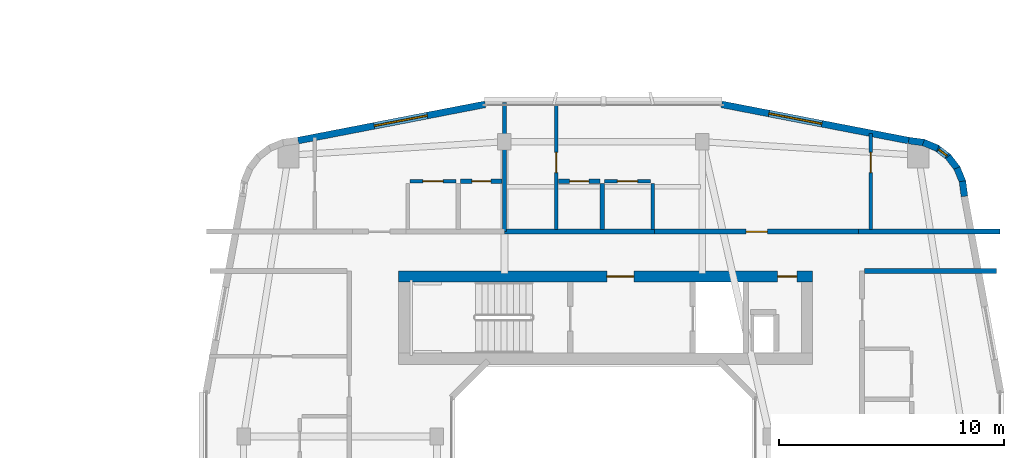
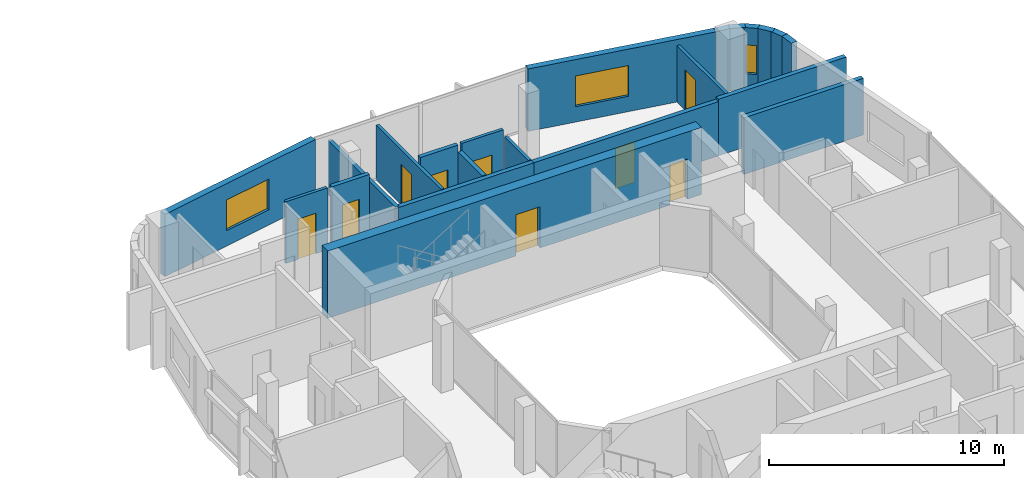
# One storey, part 19 of 25: 22 walls, 9 doors, 3 windows, 12 openings.
"""IFC4 building model written with IfcOpenShell, lengths in metres."""

from ifc_helpers import new_model, si_unit, derived_unit, direction, frame, frame_2d, origin, place, context, subcontext, project, spatial, rectangle, extrude, material, layer, layer_set, type_object, element, fill, save


model = new_model("IFC4")

# Units and contexts
model_context = context("Model", 3, precision=1e-05, world=origin(), true_north=direction((0.0, 1.0)))
body_context = subcontext(model_context, "Body", "Model", "MODEL_VIEW")
ifc_project = project(units=[si_unit("LENGTHUNIT", "METRE"), si_unit("AREAUNIT", "SQUARE_METRE"), si_unit("VOLUMEUNIT", "CUBIC_METRE"), si_unit("PLANEANGLEUNIT", "RADIAN"), si_unit("MASSUNIT", "GRAM", prefix="KILO"), derived_unit("THERMALTRANSMITTANCEUNIT", [(si_unit("POWERUNIT", "WATT"), 1), (si_unit("LENGTHUNIT", "METRE"), -2), (si_unit("THERMODYNAMICTEMPERATUREUNIT", "KELVIN"), -1)])], contexts=[model_context])

# Site, building, storey
site_placement = place(None, origin())
site = spatial("IfcSite", under=ifc_project, at=site_placement, CompositionType="ELEMENT")
building_placement = place(site_placement, origin())
building = spatial("IfcBuilding", under=site, at=building_placement, Name="Kivonza Crest Hotel", CompositionType="ELEMENT")
storey_placement = place(building_placement, frame((0.0, 0.0, 83.5)))
storey = spatial("IfcBuildingStorey", under=building, at=storey_placement, Name="L22", CompositionType="ELEMENT", Elevation=83.5)

# Walls
ifc_material_1 = material(Name="High-density acoustic masonry inter-tenancy wall", Category="masonry")
ifc_layer_1 = layer(ifc_material_1, 0.179931640625)
ifc_layer_set_1 = layer_set([ifc_layer_1], Name="High-density acoustic masonry inter-tenancy wall")
wall_type_1 = type_object("IfcWallType", Name="WL-ACOU-180", PredefinedType="SOLIDWALL", material=ifc_layer_set_1)
wall_1_placement = place(storey_placement, frame((72.60009765625, 37.60009765625, 0.0), z_axis=(0.0, 0.0, 1.0), x_axis=(0.0, 1.0, 0.0)))
element("IfcWall", 1, at=wall_1_placement, inside=storey, type_object=wall_type_1, Name="L22 interior partition WA-L22-T2N-DIV1", PredefinedType="SOLIDWALL", context=body_context, shape_type="SweptSolid", body=[
    extrude(rectangle(XDim=5.739990234375, YDim=0.179931640625, at=frame_2d((2.8701171875, 0.0))), origin(), (0.0, 0.0, 1.0), 2.824951171875),
])
ifc_material_2 = material(Name="Autoclaved aerated concrete blockwork", Category="masonry")
ifc_layer_2 = layer(ifc_material_2, 0.219970703125)
ifc_layer_set_2 = layer_set([ifc_layer_2], Name="Autoclaved aerated concrete blockwork")
wall_type_2 = type_object("IfcWallType", Name="WL-ACOU-220", PredefinedType="SOLIDWALL", material=ifc_layer_set_2)
wall_2_placement = place(storey_placement, frame((72.60009765625, 37.60009765625, 0.0), z_axis=(0.0, 0.0, 1.0), x_axis=(1.0, 0.0, 0.0)))
element("IfcWall", 2, at=wall_2_placement, inside=storey, type_object=wall_type_2, Name="L22 interior partition WA-L22-A02-LCORR", PredefinedType="SOLIDWALL", context=body_context, shape_type="SweptSolid", body=[
    extrude(rectangle(XDim=6.679931640625, YDim=0.219970703125, at=frame_2d((3.33984375, 0.0))), origin(), (0.0, 0.0, 1.0), 2.824951171875),
])
wall_3_placement = place(storey_placement, frame((88.35009765625, 37.60009765625, 0.0), z_axis=(0.0, 0.0, 1.0), x_axis=(1.0, 0.0, 0.0)))
element("IfcWall", 3, at=wall_3_placement, inside=storey, type_object=wall_type_2, Name="L22 interior partition WA-L22-A02-RCORR", PredefinedType="SOLIDWALL", context=body_context, shape_type="SweptSolid", body=[
    extrude(rectangle(XDim=6.289794921875, YDim=0.219970703125, at=frame_2d((3.14501953125, 0.0))), origin(), (0.0, 0.0, 1.0), 2.945068359375),
])

# Wall, opening, door
wall_4_placement = place(storey_placement, frame((79.280029296875, 37.60009765625, 0.0), z_axis=(0.0, 0.0, 1.0), x_axis=(1.0, 0.0, 0.0)))
wall_4 = element("IfcWall", 4, at=wall_4_placement, inside=storey, type_object=wall_type_2, Name="L22 interior partition WA-L22-A02-MCORR", PredefinedType="SOLIDWALL", context=body_context, shape_type="SweptSolid", body=[
    extrude(rectangle(XDim=9.070068359375, YDim=0.219970703125, at=frame_2d((4.53515625, 0.0))), origin(), (0.0, 0.0, 1.0), 2.824951171875),
])
opening_1_placement = place(wall_4_placement, frame((4.06005859375, 0.0, 0.0)))
opening_1 = element("IfcOpeningElement", 5, at=opening_1_placement, cuts=wall_4, Name="Opening DU-60", PredefinedType="OPENING", context=body_context, shape_type="SweptSolid", body=[
    extrude(rectangle(XDim=0.949951171875, YDim=2.10009765625, at=frame_2d((0.47509765625, 1.050048828125))), frame((0.0, 0.1201171875, 0.0), z_axis=(0.0, -1.0, 0.0), x_axis=(1.0, 0.0, 0.0)), (0.0, 0.0, 1.0), 0.239990234375),
])
ifc_material_3 = material(Name="Hardwood timber oak", Category="wood")
door_type_1 = type_object("IfcDoorType", Name="DR-UNIT-950", OperationType="NOTDEFINED", PredefinedType="DOOR", material=ifc_material_3)
door_1_placement = place(opening_1_placement, origin())
door_1 = element("IfcDoor", 6, at=door_1_placement, inside=storey, type_object=door_type_1, Name="L22 A02 apartment entrance fire door", OperationType="SINGLE_SWING_RIGHT", OverallHeight=2.10009765625, OverallWidth=0.949951171875, PredefinedType="DOOR", context=body_context, shape_type="SweptSolid", body=[
    extrude(rectangle(XDim=0.949951171875, YDim=2.10009765625, at=frame_2d((0.47509765625, 1.050048828125))), frame((0.0, 0.02490234375, 0.0), z_axis=(0.0, -1.0, 0.0), x_axis=(1.0, 0.0, 0.0)), (0.0, 0.0, 1.0), 0.050048828125),
])
fill(opening_1, door_1)

# Wall
wall_5_placement = place(storey_placement, frame((88.60009765625, 35.860107421875, 0.0), z_axis=(0.0, 0.0, 1.0), x_axis=(1.0, 0.0, 0.0)))
element("IfcWall", 7, at=wall_5_placement, inside=storey, type_object=wall_type_2, Name="L22 interior partition WA-L22-T2E-ENDN", PredefinedType="SOLIDWALL", context=body_context, shape_type="SweptSolid", body=[
    extrude(rectangle(XDim=5.8798828125, YDim=0.219970703125, at=frame_2d((2.93994140625, 0.0))), origin(), (0.0, 0.0, 1.0), 2.945068359375),
])

# Wall, openings, doors
ifc_material_4 = material(Name="Concrete C60/75", Category="concrete")
ifc_layer_3 = layer(ifc_material_4, 0.5)
ifc_layer_set_3 = layer_set([ifc_layer_3], Name="Concrete C60/75")
wall_type_3 = type_object("IfcWallType", Name="WL-CORE-500", PredefinedType="SHEAR", material=ifc_layer_set_3)
wall_6_placement = place(storey_placement, frame((67.89990234375, 35.610107421875, 0.0), z_axis=(0.0, 0.0, 1.0), x_axis=(1.0, 0.0, 0.0)))
wall_6 = element("IfcWall", 8, at=wall_6_placement, inside=storey, type_object=wall_type_3, Name="Core wall T2-N North L22", PredefinedType="SHEAR", context=body_context, shape_type="SweptSolid", body=[
    extrude(rectangle(XDim=18.400146484375, YDim=0.5, at=frame_2d((9.2001953125, 0.0))), origin(), (0.0, 0.0, 1.0), 3.5),
])
opening_2_placement = place(wall_6_placement, frame((9.25, 0.0, 0.0)))
opening_2 = element("IfcOpeningElement", 9, at=opening_2_placement, cuts=wall_6, Name="Opening DF-60", PredefinedType="OPENING", context=body_context, shape_type="SweptSolid", body=[
    extrude(rectangle(XDim=1.199951171875, YDim=2.14990234375, at=frame_2d((0.60009765625, 1.074951171875))), frame((0.0, 0.260009765625, 0.0), z_axis=(0.0, -1.0, 0.0), x_axis=(1.0, 0.0, 0.0)), (0.0, 0.0, 1.0), 0.52001953125),
])
opening_3_placement = place(wall_6_placement, frame((16.85009765625, 0.0, 0.0)))
opening_3 = element("IfcOpeningElement", 10, at=opening_3_placement, cuts=wall_6, Name="Opening DF-60R", PredefinedType="OPENING", context=body_context, shape_type="SweptSolid", body=[
    extrude(rectangle(XDim=0.85009765625, YDim=2.10009765625, at=frame_2d((0.425048828125, 1.050048828125))), frame((0.0, 0.260009765625, 0.0), z_axis=(0.0, -1.0, 0.0), x_axis=(1.0, 0.0, 0.0)), (0.0, 0.0, 1.0), 0.52001953125),
])
door_type_2 = type_object("IfcDoorType", Name="DR-FD60-1200", OperationType="NOTDEFINED", PredefinedType="DOOR", material=ifc_material_3)
door_2_placement = place(opening_2_placement, origin())
door_2 = element("IfcDoor", 11, at=door_2_placement, inside=storey, type_object=door_type_2, Name="L22 T2-N firefighting lobby fire door", OperationType="SINGLE_SWING_RIGHT", OverallHeight=2.14990234375, OverallWidth=1.199951171875, PredefinedType="DOOR", context=body_context, shape_type="SweptSolid", body=[
    extrude(rectangle(XDim=1.199951171875, YDim=2.14990234375, at=frame_2d((0.60009765625, 1.074951171875))), frame((0.0, 0.02490234375, 0.0), z_axis=(0.0, -1.0, 0.0), x_axis=(1.0, 0.0, 0.0)), (0.0, 0.0, 1.0), 0.050048828125),
])
fill(opening_2, door_2)
door_type_3 = type_object("IfcDoorType", Name="DR-FD60-850", OperationType="NOTDEFINED", PredefinedType="DOOR", material=ifc_material_3)
door_3_placement = place(opening_3_placement, origin())
door_3 = element("IfcDoor", 12, at=door_3_placement, inside=storey, type_object=door_type_3, Name="L22 T2-N core room door", OperationType="SINGLE_SWING_RIGHT", OverallHeight=2.10009765625, OverallWidth=0.85009765625, PredefinedType="DOOR", context=body_context, shape_type="SweptSolid", body=[
    extrude(rectangle(XDim=0.85009765625, YDim=2.10009765625, at=frame_2d((0.425048828125, 1.050048828125))), frame((0.0, 0.02490234375, 0.0), z_axis=(0.0, -1.0, 0.0), x_axis=(1.0, 0.0, 0.0)), (0.0, 0.0, 1.0), 0.050048828125),
])
fill(opening_3, door_3)

# Walls
ifc_material_5 = material(Name="Precast concrete C40/50", Category="concrete")
ifc_layer_4 = layer(ifc_material_5, 0.300048828125)
ifc_layer_set_4 = layer_set([ifc_layer_4], Name="Precast concrete C40/50")
wall_type_4 = type_object("IfcWallType", Name="WL-EXT-300", PredefinedType="STANDARD", material=ifc_layer_set_4)
wall_7_placement = place(storey_placement, frame((93.052001953125, 39.172119140625, 0.0), z_axis=(0.0, 0.0, 1.0), x_axis=(-0.131667498923, 0.991293937098, 0.0)))
element("IfcWall", 13, at=wall_7_placement, inside=storey, type_object=wall_type_4, Name="L22 T2 exterior insulated wall 19", PredefinedType="STANDARD", context=body_context, shape_type="SweptSolid", body=[
    extrude(rectangle(XDim=0.6767578125, YDim=0.300048828125, at=frame_2d((0.33837890625, 0.0))), origin(), (0.0, 0.0, 1.0), 3.25),
])
wall_8_placement = place(storey_placement, frame((92.98193359375, 39.79296875, 0.0), z_axis=(0.0, 0.0, 1.0), x_axis=(-0.381864727877, 0.92421822618, 0.0)))
element("IfcWall", 14, at=wall_8_placement, inside=storey, type_object=wall_type_4, Name="L22 T2 exterior insulated wall 20", PredefinedType="STANDARD", context=body_context, shape_type="SweptSolid", body=[
    extrude(rectangle(XDim=0.693603515625, YDim=0.300048828125, at=frame_2d((0.3466796875, 0.0))), origin(), (0.0, 0.0, 1.0), 3.25),
])
wall_9_placement = place(storey_placement, frame((92.748046875, 40.388916015625, 0.0), z_axis=(0.0, 0.0, 1.0), x_axis=(-0.609693758543, 0.792637067512, 0.0)))
element("IfcWall", 15, at=wall_9_placement, inside=storey, type_object=wall_type_4, Name="L22 T2 exterior insulated wall 21", PredefinedType="STANDARD", context=body_context, shape_type="SweptSolid", body=[
    extrude(rectangle(XDim=0.69384765625, YDim=0.300048828125, at=frame_2d((0.346923828125, 0.0))), origin(), (0.0, 0.0, 1.0), 3.25),
])

# Wall, opening, window
wall_10_placement = place(storey_placement, frame((92.366943359375, 40.904052734375, 0.0), z_axis=(0.0, 0.0, 1.0), x_axis=(-0.792807092876, 0.609472651958, 0.0)))
wall_10 = element("IfcWall", 16, at=wall_10_placement, inside=storey, type_object=wall_type_4, Name="L22 T2 exterior insulated wall 22", PredefinedType="STANDARD", context=body_context, shape_type="SweptSolid", body=[
    extrude(rectangle(XDim=0.69384765625, YDim=0.300048828125, at=frame_2d((0.346923828125, 0.0))), origin(), (0.0, 0.0, 1.0), 3.25),
])
opening_4_placement = place(wall_10_placement, frame((0.1220703125, 0.0, 0.85009765625)))
opening_4 = element("IfcOpeningElement", 17, at=opening_4_placement, cuts=wall_10, Name="Opening WN-11", PredefinedType="OPENING", context=body_context, shape_type="SweptSolid", body=[
    extrude(rectangle(XDim=0.449951171875, YDim=1.5, at=frame_2d((0.22509765625, 0.75))), frame((0.0, 0.16015625, 0.0), z_axis=(0.0, -1.0, 0.0), x_axis=(1.0, 0.0, 0.0)), (0.0, 0.0, 1.0), 0.320068359375),
])
ifc_material_6 = material(Name="Thermally broken bronze aluminium and low-E double glazing", Category="aluminium")
window_type_1 = type_object("IfcWindowType", Name="WN-045x150", PartitioningType="SINGLE_PANEL", PredefinedType="WINDOW", material=ifc_material_6)
window_1_placement = place(opening_4_placement, origin())
window_1 = element("IfcWindow", 18, at=window_1_placement, inside=storey, type_object=window_type_1, Name="L22 corner vision window 2", OverallHeight=1.5, OverallWidth=0.449951171875, PartitioningType="SINGLE_PANEL", PredefinedType="WINDOW", context=body_context, shape_type="SweptSolid", body=[
    extrude(rectangle(XDim=0.449951171875, YDim=1.5, at=frame_2d((0.22509765625, 0.75))), frame((0.0, 0.030029296875, 0.0), z_axis=(0.0, -1.0, 0.0), x_axis=(1.0, 0.0, 0.0)), (0.0, 0.0, 1.0), 0.06005859375),
])
fill(opening_4, window_1)

# Walls
wall_11_placement = place(storey_placement, frame((91.865966796875, 41.302978515625, 0.0), z_axis=(0.0, 0.0, 1.0), x_axis=(-0.924042561464, 0.382289608286, 0.0)))
element("IfcWall", 19, at=wall_11_placement, inside=storey, type_object=wall_type_4, Name="L22 T2 exterior insulated wall 23", PredefinedType="STANDARD", context=body_context, shape_type="SweptSolid", body=[
    extrude(rectangle(XDim=0.693603515625, YDim=0.300048828125, at=frame_2d((0.3466796875, 0.0))), origin(), (0.0, 0.0, 1.0), 3.25),
])
wall_12_placement = place(storey_placement, frame((91.278076171875, 41.55908203125, 0.0), z_axis=(0.0, 0.0, 1.0), x_axis=(-0.991433279471, 0.130614135366, 0.0)))
element("IfcWall", 20, at=wall_12_placement, inside=storey, type_object=wall_type_4, Name="L22 T2 exterior insulated wall 24", PredefinedType="STANDARD", context=body_context, shape_type="SweptSolid", body=[
    extrude(rectangle(XDim=0.712158203125, YDim=0.300048828125, at=frame_2d((0.35595703125, 0.0))), origin(), (0.0, 0.0, 1.0), 3.25),
])

# Wall, opening, window
wall_13_placement = place(storey_placement, frame((90.5791015625, 41.65087890625, 0.0), z_axis=(0.0, 0.0, 1.0), x_axis=(-0.981750199588, 0.190175039396, 0.0)))
wall_13 = element("IfcWall", 21, at=wall_13_placement, inside=storey, type_object=wall_type_4, Name="L22 T2 exterior insulated wall 25", PredefinedType="STANDARD", context=body_context, shape_type="SweptSolid", body=[
    extrude(rectangle(XDim=8.476806640625, YDim=0.300048828125, at=frame_2d((4.23828125, 0.0))), origin(), (0.0, 0.0, 1.0), 3.25),
])
opening_5_placement = place(wall_13_placement, frame((3.93701171875, 0.0, 0.800048828125)))
opening_5 = element("IfcOpeningElement", 22, at=opening_5_placement, cuts=wall_13, Name="Opening WN-05", PredefinedType="OPENING", context=body_context, shape_type="SweptSolid", body=[
    extrude(rectangle(XDim=2.39990234375, YDim=1.60009765625, at=frame_2d((1.199951171875, 0.800048828125))), frame((0.0, 0.16015625, 0.0), z_axis=(0.0, -1.0, 0.0), x_axis=(1.0, 0.0, 0.0)), (0.0, 0.0, 1.0), 0.320068359375),
])
window_type_2 = type_object("IfcWindowType", Name="WN-240x160", PartitioningType="TRIPLE_PANEL_VERTICAL", PredefinedType="WINDOW", material=ifc_material_6)
window_2_placement = place(opening_5_placement, origin())
window_2 = element("IfcWindow", 23, at=window_2_placement, inside=storey, type_object=window_type_2, Name="L22 T2 facade window 25", OverallHeight=1.60009765625, OverallWidth=2.39990234375, PartitioningType="SINGLE_PANEL", PredefinedType="WINDOW", context=body_context, shape_type="SweptSolid", body=[
    extrude(rectangle(XDim=2.39990234375, YDim=1.60009765625, at=frame_2d((1.199951171875, 0.800048828125))), frame((0.0, 0.030029296875, 0.0), z_axis=(0.0, -1.0, 0.0), x_axis=(1.0, 0.0, 0.0)), (0.0, 0.0, 1.0), 0.06005859375),
])
fill(opening_5, window_2)

wall_14_placement = place(storey_placement, frame((71.742919921875, 43.262939453125, 0.0), z_axis=(0.0, 0.0, 1.0), x_axis=(-0.981750199588, -0.190175039396, 0.0)))
wall_14 = element("IfcWall", 24, at=wall_14_placement, inside=storey, type_object=wall_type_4, Name="L22 T2 exterior insulated wall 27", PredefinedType="STANDARD", context=body_context, shape_type="SweptSolid", body=[
    extrude(rectangle(XDim=8.476806640625, YDim=0.300048828125, at=frame_2d((4.23828125, 0.0))), origin(), (0.0, 0.0, 1.0), 3.25),
])
opening_6_placement = place(wall_14_placement, frame((2.623046875, 0.0, 0.800048828125)))
opening_6 = element("IfcOpeningElement", 25, at=opening_6_placement, cuts=wall_14, Name="Opening WN-05", PredefinedType="OPENING", context=body_context, shape_type="SweptSolid", body=[
    extrude(rectangle(XDim=2.39990234375, YDim=1.60009765625, at=frame_2d((1.199951171875, 0.800048828125))), frame((0.0, 0.16015625, 0.0), z_axis=(0.0, -1.0, 0.0), x_axis=(1.0, 0.0, 0.0)), (0.0, 0.0, 1.0), 0.320068359375),
])
window_3_placement = place(opening_6_placement, origin())
window_3 = element("IfcWindow", 26, at=window_3_placement, inside=storey, type_object=window_type_2, Name="L22 T2 facade window 27", OverallHeight=1.60009765625, OverallWidth=2.39990234375, PartitioningType="SINGLE_PANEL", PredefinedType="WINDOW", context=body_context, shape_type="SweptSolid", body=[
    extrude(rectangle(XDim=2.39990234375, YDim=1.60009765625, at=frame_2d((1.199951171875, 0.800048828125))), frame((0.0, 0.030029296875, 0.0), z_axis=(0.0, -1.0, 0.0), x_axis=(1.0, 0.0, 0.0)), (0.0, 0.0, 1.0), 0.06005859375),
])
fill(opening_6, window_3)

# Wall, opening, door
ifc_material_7 = material(Name="Twin-stud acoustic gypsum board partition", Category="gypsum")
ifc_layer_5 = layer(ifc_material_7, 0.14990234375)
ifc_layer_set_5 = layer_set([ifc_layer_5], Name="Twin-stud acoustic gypsum board partition")
wall_type_5 = type_object("IfcWallType", Name="WL-PART-150", PredefinedType="PARTITIONING", material=ifc_layer_set_5)
wall_15_placement = place(storey_placement, frame((68.39990234375, 39.85009765625, 0.0), z_axis=(0.0, 0.0, 1.0), x_axis=(1.0, 0.0, 0.0)))
wall_15 = element("IfcWall", 27, at=wall_15_placement, inside=storey, type_object=wall_type_5, Name="L22 interior partition WP-L22-A01-KSVC", PredefinedType="PARTITIONING", context=body_context, shape_type="SweptSolid", body=[
    extrude(rectangle(XDim=2.050048828125, YDim=0.14990234375, at=frame_2d((1.02490234375, 0.0))), origin(), (0.0, 0.0, 1.0), 3.219970703125),
])
opening_7_placement = place(wall_15_placement, frame((0.574951171875, 0.0, 0.0)))
opening_7 = element("IfcOpeningElement", 28, at=opening_7_placement, cuts=wall_15, Name="Opening DI-90", PredefinedType="OPENING", context=body_context, shape_type="SweptSolid", body=[
    extrude(rectangle(XDim=0.89990234375, YDim=2.10009765625, at=frame_2d((0.449951171875, 1.050048828125))), frame((0.0, 0.0849609375, 0.0), z_axis=(0.0, -1.0, 0.0), x_axis=(1.0, 0.0, 0.0)), (0.0, 0.0, 1.0), 0.169921875),
])
door_type_4 = type_object("IfcDoorType", Name="DR-INT-900", OperationType="NOTDEFINED", PredefinedType="DOOR", material=ifc_material_3)
door_4_placement = place(opening_7_placement, origin())
door_4 = element("IfcDoor", 29, at=door_4_placement, inside=storey, type_object=door_type_4, Name="L22 A01 apartment kitchen door", OperationType="SINGLE_SWING_LEFT", OverallHeight=2.10009765625, OverallWidth=0.89990234375, PredefinedType="DOOR", context=body_context, shape_type="SweptSolid", body=[
    extrude(rectangle(XDim=0.89990234375, YDim=2.10009765625, at=frame_2d((0.449951171875, 1.050048828125))), frame((0.0, 0.02490234375, 0.0), z_axis=(0.0, -1.0, 0.0), x_axis=(1.0, 0.0, 0.0)), (0.0, 0.0, 1.0), 0.050048828125),
])
fill(opening_7, door_4)

wall_16_placement = place(storey_placement, frame((74.89990234375, 37.699951171875, 0.0), z_axis=(0.0, 0.0, 1.0), x_axis=(0.0, 1.0, 0.0)))
wall_16 = element("IfcWall", 30, at=wall_16_placement, inside=storey, type_object=wall_type_5, Name="L22 interior partition WP-L22-A02-BDW1", PredefinedType="PARTITIONING", context=body_context, shape_type="SweptSolid", body=[
    extrude(rectangle(XDim=5.5400390625, YDim=0.14990234375, at=frame_2d((2.77001953125, 0.0))), origin(), (0.0, 0.0, 1.0), 2.864990234375),
])
opening_8_placement = place(wall_16_placement, frame((2.530029296875, 0.0, 0.0)))
opening_8 = element("IfcOpeningElement", 31, at=opening_8_placement, cuts=wall_16, Name="Opening DI-90", PredefinedType="OPENING", context=body_context, shape_type="SweptSolid", body=[
    extrude(rectangle(XDim=0.89990234375, YDim=2.10009765625, at=frame_2d((0.449951171875, 1.050048828125))), frame((0.0, 0.0849609375, 0.0), z_axis=(0.0, -1.0, 0.0), x_axis=(1.0, 0.0, 0.0)), (0.0, 0.0, 1.0), 0.169921875),
])
door_5_placement = place(opening_8_placement, origin())
door_5 = element("IfcDoor", 32, at=door_5_placement, inside=storey, type_object=door_type_4, Name="L22 A02 bedroom 1 door", OperationType="SINGLE_SWING_LEFT", OverallHeight=2.10009765625, OverallWidth=0.89990234375, PredefinedType="DOOR", context=body_context, shape_type="SweptSolid", body=[
    extrude(rectangle(XDim=0.89990234375, YDim=2.10009765625, at=frame_2d((0.449951171875, 1.050048828125))), frame((0.0, 0.02490234375, 0.0), z_axis=(0.0, -1.0, 0.0), x_axis=(1.0, 0.0, 0.0)), (0.0, 0.0, 1.0), 0.050048828125),
])
fill(opening_8, door_5)

wall_17_placement = place(storey_placement, frame((88.889892578125, 37.699951171875, 0.0), z_axis=(0.0, 0.0, 1.0), x_axis=(0.0, 1.0, 0.0)))
wall_17 = element("IfcWall", 33, at=wall_17_placement, inside=storey, type_object=wall_type_5, Name="L22 interior partition WP-L22-A02-BDW2", PredefinedType="PARTITIONING", context=body_context, shape_type="SweptSolid", body=[
    extrude(rectangle(XDim=4.27001953125, YDim=0.14990234375, at=frame_2d((2.135009765625, 0.0))), origin(), (0.0, 0.0, 1.0), 2.945068359375),
])
opening_9_placement = place(wall_17_placement, frame((2.530029296875, 0.0, 0.0)))
opening_9 = element("IfcOpeningElement", 34, at=opening_9_placement, cuts=wall_17, Name="Opening DI-90", PredefinedType="OPENING", context=body_context, shape_type="SweptSolid", body=[
    extrude(rectangle(XDim=0.89990234375, YDim=2.10009765625, at=frame_2d((0.449951171875, 1.050048828125))), frame((0.0, 0.0849609375, 0.0), z_axis=(0.0, -1.0, 0.0), x_axis=(1.0, 0.0, 0.0)), (0.0, 0.0, 1.0), 0.169921875),
])
door_6_placement = place(opening_9_placement, origin())
door_6 = element("IfcDoor", 35, at=door_6_placement, inside=storey, type_object=door_type_4, Name="L22 A02 bedroom 2 door", OperationType="SINGLE_SWING_RIGHT", OverallHeight=2.10009765625, OverallWidth=0.89990234375, PredefinedType="DOOR", context=body_context, shape_type="SweptSolid", body=[
    extrude(rectangle(XDim=0.89990234375, YDim=2.10009765625, at=frame_2d((0.449951171875, 1.050048828125))), frame((0.0, 0.02490234375, 0.0), z_axis=(0.0, -1.0, 0.0), x_axis=(1.0, 0.0, 0.0)), (0.0, 0.0, 1.0), 0.050048828125),
])
fill(opening_9, door_6)

# Wall
wall_18_placement = place(storey_placement, frame((79.199951171875, 37.699951171875, 0.0), z_axis=(0.0, 0.0, 1.0), x_axis=(0.0, 1.0, 0.0)))
element("IfcWall", 36, at=wall_18_placement, inside=storey, type_object=wall_type_5, Name="L22 interior partition WP-L22-A02-KF", PredefinedType="PARTITIONING", context=body_context, shape_type="SweptSolid", body=[
    extrude(rectangle(XDim=2.050048828125, YDim=0.14990234375, at=frame_2d((1.02490234375, 0.0))), origin(), (0.0, 0.0, 1.0), 2.864990234375),
])

# Wall, opening, door
wall_19_placement = place(storey_placement, frame((77.050048828125, 39.85009765625, 0.0), z_axis=(0.0, 0.0, 1.0), x_axis=(1.0, 0.0, 0.0)))
wall_19 = element("IfcWall", 37, at=wall_19_placement, inside=storey, type_object=wall_type_5, Name="L22 interior partition WP-L22-A02-KSVC", PredefinedType="PARTITIONING", context=body_context, shape_type="SweptSolid", body=[
    extrude(rectangle(XDim=2.050048828125, YDim=0.14990234375, at=frame_2d((1.02490234375, 0.0))), origin(), (0.0, 0.0, 1.0), 3.219970703125),
])
opening_10_placement = place(wall_19_placement, frame((0.574951171875, 0.0, 0.0)))
opening_10 = element("IfcOpeningElement", 38, at=opening_10_placement, cuts=wall_19, Name="Opening DI-90", PredefinedType="OPENING", context=body_context, shape_type="SweptSolid", body=[
    extrude(rectangle(XDim=0.89990234375, YDim=2.10009765625, at=frame_2d((0.449951171875, 1.050048828125))), frame((0.0, 0.0849609375, 0.0), z_axis=(0.0, -1.0, 0.0), x_axis=(1.0, 0.0, 0.0)), (0.0, 0.0, 1.0), 0.169921875),
])
door_7_placement = place(opening_10_placement, origin())
door_7 = element("IfcDoor", 39, at=door_7_placement, inside=storey, type_object=door_type_4, Name="L22 A02 apartment kitchen door", OperationType="SINGLE_SWING_RIGHT", OverallHeight=2.10009765625, OverallWidth=0.89990234375, PredefinedType="DOOR", context=body_context, shape_type="SweptSolid", body=[
    extrude(rectangle(XDim=0.89990234375, YDim=2.10009765625, at=frame_2d((0.449951171875, 1.050048828125))), frame((0.0, 0.02490234375, 0.0), z_axis=(0.0, -1.0, 0.0), x_axis=(1.0, 0.0, 0.0)), (0.0, 0.0, 1.0), 0.050048828125),
])
fill(opening_10, door_7)

ifc_material_8 = material(Name="Moisture-resistant plumbing chase partition wall", Category="gypsum")
ifc_layer_6 = layer(ifc_material_8, 0.199951171875)
ifc_layer_set_6 = layer_set([ifc_layer_6], Name="Moisture-resistant plumbing chase partition wall")
wall_type_6 = type_object("IfcWallType", Name="WL-PLUMB-200", PredefinedType="PLUMBINGWALL", material=ifc_layer_set_6)
wall_20_placement = place(storey_placement, frame((70.64990234375, 39.85009765625, 0.0), z_axis=(0.0, 0.0, 1.0), x_axis=(1.0, 0.0, 0.0)))
wall_20 = element("IfcWall", 40, at=wall_20_placement, inside=storey, type_object=wall_type_6, Name="L22 interior partition WW-L22-A01-BSVC", PredefinedType="PLUMBINGWALL", context=body_context, shape_type="SweptSolid", body=[
    extrude(rectangle(XDim=1.85009765625, YDim=0.199951171875, at=frame_2d((0.925048828125, 0.0))), origin(), (0.0, 0.0, 1.0), 3.219970703125),
])
opening_11_placement = place(wall_20_placement, frame((0.5, 0.0, 0.0)))
opening_11 = element("IfcOpeningElement", 41, at=opening_11_placement, cuts=wall_20, Name="Opening DI-85", PredefinedType="OPENING", context=body_context, shape_type="SweptSolid", body=[
    extrude(rectangle(XDim=0.85009765625, YDim=2.10009765625, at=frame_2d((0.425048828125, 1.050048828125))), frame((0.0, 0.10986328125, 0.0), z_axis=(0.0, -1.0, 0.0), x_axis=(1.0, 0.0, 0.0)), (0.0, 0.0, 1.0), 0.219970703125),
])
door_type_5 = type_object("IfcDoorType", Name="DR-INT-850", OperationType="NOTDEFINED", PredefinedType="DOOR", material=ifc_material_3)
door_8_placement = place(opening_11_placement, origin())
door_8 = element("IfcDoor", 42, at=door_8_placement, inside=storey, type_object=door_type_5, Name="L22 A01 apartment bathroom door", OperationType="SINGLE_SWING_RIGHT", OverallHeight=2.10009765625, OverallWidth=0.85009765625, PredefinedType="DOOR", context=body_context, shape_type="SweptSolid", body=[
    extrude(rectangle(XDim=0.85009765625, YDim=2.10009765625, at=frame_2d((0.425048828125, 1.050048828125))), frame((0.0, 0.02490234375, 0.0), z_axis=(0.0, -1.0, 0.0), x_axis=(1.0, 0.0, 0.0)), (0.0, 0.0, 1.0), 0.050048828125),
])
fill(opening_11, door_8)

# Wall
wall_21_placement = place(storey_placement, frame((76.949951171875, 37.699951171875, 0.0), z_axis=(0.0, 0.0, 1.0), x_axis=(0.0, 1.0, 0.0)))
element("IfcWall", 43, at=wall_21_placement, inside=storey, type_object=wall_type_6, Name="L22 interior partition WW-L22-A02-BK", PredefinedType="PLUMBINGWALL", context=body_context, shape_type="SweptSolid", body=[
    extrude(rectangle(XDim=2.050048828125, YDim=0.199951171875, at=frame_2d((1.02490234375, 0.0))), origin(), (0.0, 0.0, 1.0), 2.864990234375),
])

# Wall, opening, door
wall_22_placement = place(storey_placement, frame((75.0, 39.85009765625, 0.0), z_axis=(0.0, 0.0, 1.0), x_axis=(1.0, 0.0, 0.0)))
wall_22 = element("IfcWall", 44, at=wall_22_placement, inside=storey, type_object=wall_type_6, Name="L22 interior partition WW-L22-A02-BSVC", PredefinedType="PLUMBINGWALL", context=body_context, shape_type="SweptSolid", body=[
    extrude(rectangle(XDim=1.85009765625, YDim=0.199951171875, at=frame_2d((0.925048828125, 0.0))), origin(), (0.0, 0.0, 1.0), 3.219970703125),
])
opening_12_placement = place(wall_22_placement, frame((0.5, 0.0, 0.0)))
opening_12 = element("IfcOpeningElement", 45, at=opening_12_placement, cuts=wall_22, Name="Opening DI-85", PredefinedType="OPENING", context=body_context, shape_type="SweptSolid", body=[
    extrude(rectangle(XDim=0.85009765625, YDim=2.10009765625, at=frame_2d((0.425048828125, 1.050048828125))), frame((0.0, 0.10986328125, 0.0), z_axis=(0.0, -1.0, 0.0), x_axis=(1.0, 0.0, 0.0)), (0.0, 0.0, 1.0), 0.219970703125),
])
door_9_placement = place(opening_12_placement, origin())
door_9 = element("IfcDoor", 46, at=door_9_placement, inside=storey, type_object=door_type_5, Name="L22 A02 apartment bathroom door", OperationType="SINGLE_SWING_LEFT", OverallHeight=2.10009765625, OverallWidth=0.85009765625, PredefinedType="DOOR", context=body_context, shape_type="SweptSolid", body=[
    extrude(rectangle(XDim=0.85009765625, YDim=2.10009765625, at=frame_2d((0.425048828125, 1.050048828125))), frame((0.0, 0.02490234375, 0.0), z_axis=(0.0, -1.0, 0.0), x_axis=(1.0, 0.0, 0.0)), (0.0, 0.0, 1.0), 0.050048828125),
])
fill(opening_12, door_9)

save(model, "model.ifc")
